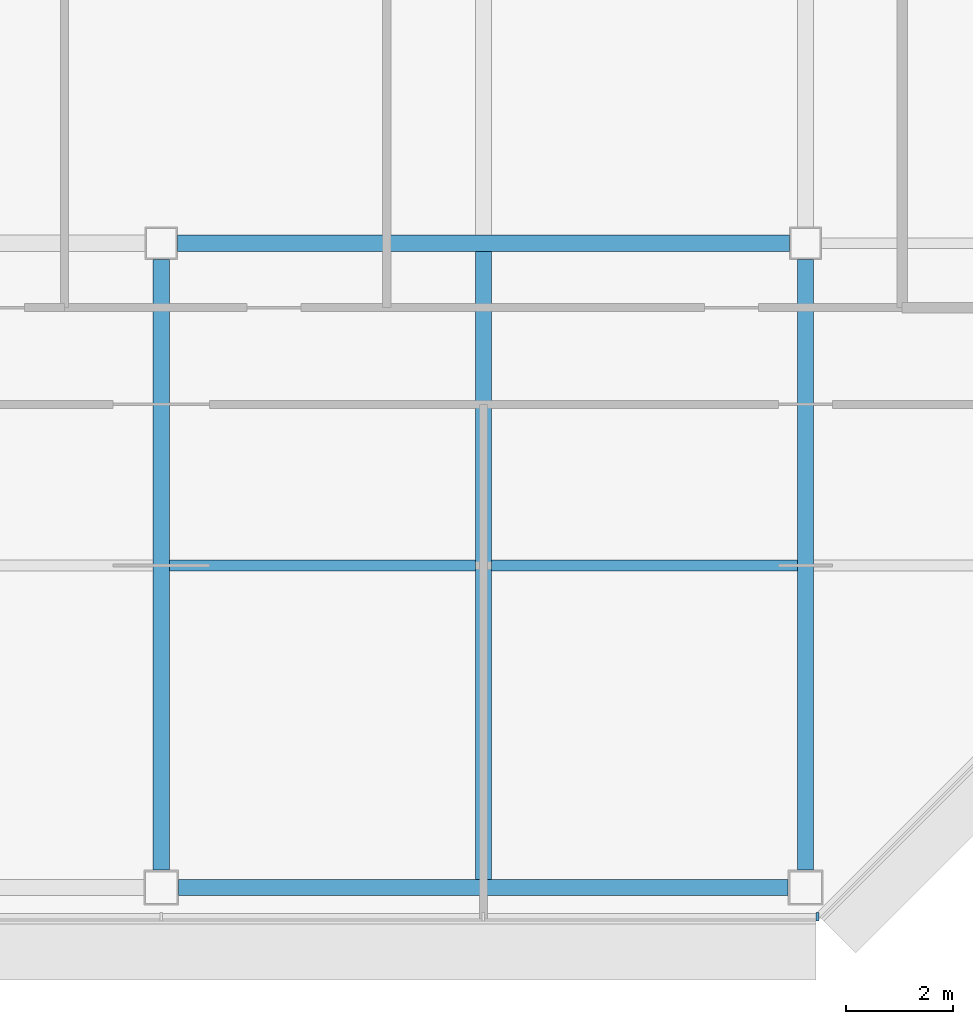
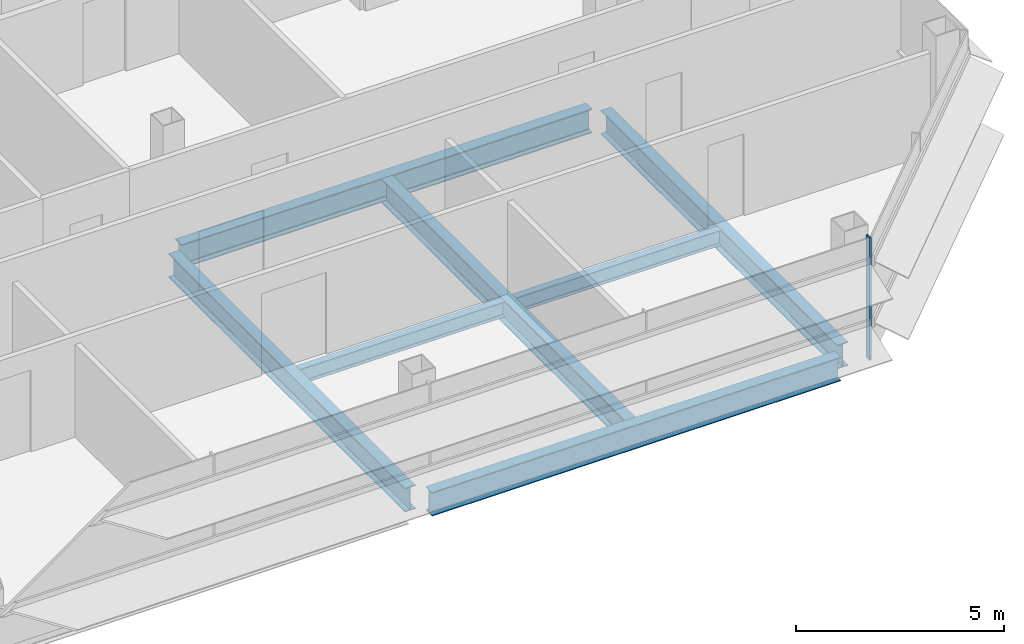
# One storey, part 9 of 26: 7 beams, 1 member, 1 element without a shape of its own.
"""IFC4 building model written with IfcOpenShell, lengths in metres."""

from ifc_helpers import new_model, si_unit, direction, frame, origin, origin_2d, place, context, subcontext, project, spatial, rectangle, i_section, extrude, material, material_profile, profile_set, type_object, element, aggregate, save


model = new_model("IFC4")

# Units and contexts
model_context = context("Model", 3, precision=1e-05, world=origin(), true_north=direction((0.0, 1.0)))
body_context = subcontext(model_context, "Body", "Model", "MODEL_VIEW")
ifc_project = project(units=[si_unit("LENGTHUNIT", "METRE"), si_unit("AREAUNIT", "SQUARE_METRE"), si_unit("VOLUMEUNIT", "CUBIC_METRE"), si_unit("PLANEANGLEUNIT", "RADIAN"), si_unit("MASSUNIT", "GRAM", prefix="KILO")], contexts=[model_context])

# Site, building, storey
site_placement = place(None, origin())
site = spatial("IfcSite", under=ifc_project, at=site_placement, CompositionType="ELEMENT")
building_placement = place(site_placement, origin())
building = spatial("IfcBuilding", under=site, at=building_placement, Name="Sorahane Residences", CompositionType="ELEMENT")
storey_placement = place(building_placement, frame((0.0, 0.0, 222.60009765625)))
storey = spatial("IfcBuildingStorey", under=building, at=storey_placement, Name="L52", CompositionType="ELEMENT", Elevation=222.60009765625)

# Curtain wall, member
ifc_material_1 = material(Name="Dark low-e glass and black anodised aluminium", Category="aluminium")
curtain_wall_type = type_object("IfcCurtainWallType", Name="Curtain wall CW-1 Typical unitised wall", PredefinedType="NOTDEFINED", material=ifc_material_1)
curtain_wall_placement = place(storey_placement, origin())
curtain_wall = element("IfcCurtainWall", 1, at=curtain_wall_placement, inside=storey, type_object=curtain_wall_type, Name="CW-1 curtain wall L52 S1", PredefinedType="NOTDEFINED")
ifc_material_2 = material(Name="Black anodised aluminium", Category="aluminium")
ifc_material_profile_1 = material_profile(ifc_material_2, rectangle(XDim=0.159912109375, YDim=0.050048828125, at=origin_2d()), Name="Curtain wall mullion CW-1 black anodised aluminium 50x160")
ifc_profile_set_1 = profile_set([ifc_material_profile_1], Name="Black anodised aluminium")
member_type = type_object("IfcMemberType", Name="Curtain wall mullion CW-1 black anodised aluminium 50x160", PredefinedType="MULLION", material=ifc_profile_set_1)
member_placement = place(storey_placement, frame((48.2236328125, -0.5400390625, -0.18017578125), z_axis=(0.0, 0.0, 1.0), x_axis=(0.0, -1.0, 0.0)))
member = element("IfcMember", 2, at=member_placement, type_object=member_type, Name="CW-1 mullion L52 S1.10", PredefinedType="MULLION", context=body_context, shape_type="SweptSolid", body=[
    extrude(rectangle(XDim=0.159912109375, YDim=0.050048828125, at=origin_2d()), origin(), (0.0, 0.0, 1.0), 3.60009765625),
])
aggregate(curtain_wall, [member])

# Beams
ifc_material_3 = material(Name="Steel Q355B", Category="steel")
ifc_material_profile_2 = material_profile(ifc_material_3, i_section(OverallWidth=0.199951171875, OverallDepth=0.449951171875, WebThickness=0.009033203125, FlangeThickness=0.013916015625, FilletRadius=0.02001953125, at=origin_2d()), Name="HN 450x200x9x14")
ifc_profile_set_2 = profile_set([ifc_material_profile_2], Name="Steel Q355B")
beam_type_1 = type_object("IfcBeamType", Name="Steel floor beam HN 450x200x9x14 Q355B", PredefinedType="BEAM", material=ifc_profile_set_2)
for number, where, z_axis, x_axis, name in (
    (3, (36.14990234375, 6.0, -0.405029296875), (1.0, 0.0, 0.0), (0.0, 1.0, 0.0), "Beam L52 075"),
    (4, (42.14990234375, 6.0, -0.405029296875), (1.0, 0.0, 0.0), (0.0, 1.0, 0.0), "Beam L52 076"),
):
    element("IfcBeam", number, at=place(storey_placement, frame(where, z_axis=z_axis, x_axis=x_axis)), inside=storey, type_object=beam_type_1, Name=name, PredefinedType="BEAM", context=body_context, shape_type="SweptSolid", body=[
        extrude(i_section(OverallWidth=0.199951171875, OverallDepth=0.449951171875, WebThickness=0.009033203125, FlangeThickness=0.013916015625, FilletRadius=0.02001953125, at=origin_2d()), origin(), (0.0, 0.0, 1.0), 5.7001953125),
    ])
ifc_material_4 = material(Name="Steel Q355B", Category="steel")
ifc_material_profile_3 = material_profile(ifc_material_4, i_section(OverallWidth=0.300048828125, OverallDepth=0.699951171875, WebThickness=0.012939453125, FlangeThickness=0.02392578125, FilletRadius=0.028076171875, at=origin_2d()), Name="HN 700x300x13x24")
ifc_profile_set_3 = profile_set([ifc_material_profile_3], Name="Steel Q355B")
beam_type_2 = type_object("IfcBeamType", Name="Steel floor beam HN 700x300x13x24 Q355B", PredefinedType="BEAM", material=ifc_profile_set_3)
beam_1_placement = place(storey_placement, frame((36.324951171875, 0.0, -0.530029296875), z_axis=(1.0, 0.0, 0.0), x_axis=(0.0, 1.0, 0.0)))
element("IfcBeam", 5, at=beam_1_placement, inside=storey, type_object=beam_type_2, Name="Beam L52 004", PredefinedType="BEAM", context=body_context, shape_type="SweptSolid", body=[
    extrude(i_section(OverallWidth=0.300048828125, OverallDepth=0.699951171875, WebThickness=0.012939453125, FlangeThickness=0.02392578125, FilletRadius=0.028076171875, at=origin_2d()), origin(), (0.0, 0.0, 1.0), 11.35009765625),
])
beam_2_placement = place(storey_placement, frame((36.300048828125, 12.0, -0.530029296875), z_axis=(1.0, 0.0, 0.0), x_axis=(0.0, 1.0, 0.0)))
element("IfcBeam", 6, at=beam_2_placement, inside=storey, type_object=beam_type_2, Name="Beam L52 009", PredefinedType="BEAM", context=body_context, shape_type="SweptSolid", body=[
    extrude(i_section(OverallWidth=0.300048828125, OverallDepth=0.699951171875, WebThickness=0.012939453125, FlangeThickness=0.02392578125, FilletRadius=0.028076171875, at=origin_2d()), origin(), (0.0, 0.0, 1.0), 11.39990234375),
])
beam_3_placement = place(storey_placement, frame((36.0, 0.324951171875, -0.530029296875), z_axis=(0.0, 1.0, 0.0), x_axis=(-1.0, 0.0, 0.0)))
element("IfcBeam", 7, at=beam_3_placement, inside=storey, type_object=beam_type_2, Name="Beam L52 050", PredefinedType="BEAM", context=body_context, shape_type="SweptSolid", body=[
    extrude(i_section(OverallWidth=0.300048828125, OverallDepth=0.699951171875, WebThickness=0.012939453125, FlangeThickness=0.02392578125, FilletRadius=0.028076171875, at=origin_2d()), origin(), (0.0, 0.0, 1.0), 11.375),
])
beam_4_placement = place(storey_placement, frame((42.0, 0.14990234375, -0.530029296875), z_axis=(0.0, 1.0, 0.0), x_axis=(-1.0, 0.0, 0.0)))
element("IfcBeam", 8, at=beam_4_placement, inside=storey, type_object=beam_type_2, Name="Beam L52 052", PredefinedType="BEAM", context=body_context, shape_type="SweptSolid", body=[
    extrude(i_section(OverallWidth=0.300048828125, OverallDepth=0.699951171875, WebThickness=0.012939453125, FlangeThickness=0.02392578125, FilletRadius=0.028076171875, at=origin_2d()), origin(), (0.0, 0.0, 1.0), 11.7001953125),
])
beam_5_placement = place(storey_placement, frame((48.0, 0.324951171875, -0.530029296875), z_axis=(0.0, 1.0, 0.0), x_axis=(-1.0, 0.0, 0.0)))
element("IfcBeam", 9, at=beam_5_placement, inside=storey, type_object=beam_type_2, Name="Beam L52 058", PredefinedType="BEAM", context=body_context, shape_type="SweptSolid", body=[
    extrude(i_section(OverallWidth=0.300048828125, OverallDepth=0.699951171875, WebThickness=0.012939453125, FlangeThickness=0.02392578125, FilletRadius=0.028076171875, at=origin_2d()), origin(), (0.0, 0.0, 1.0), 11.375),
])

save(model, "model.ifc")
